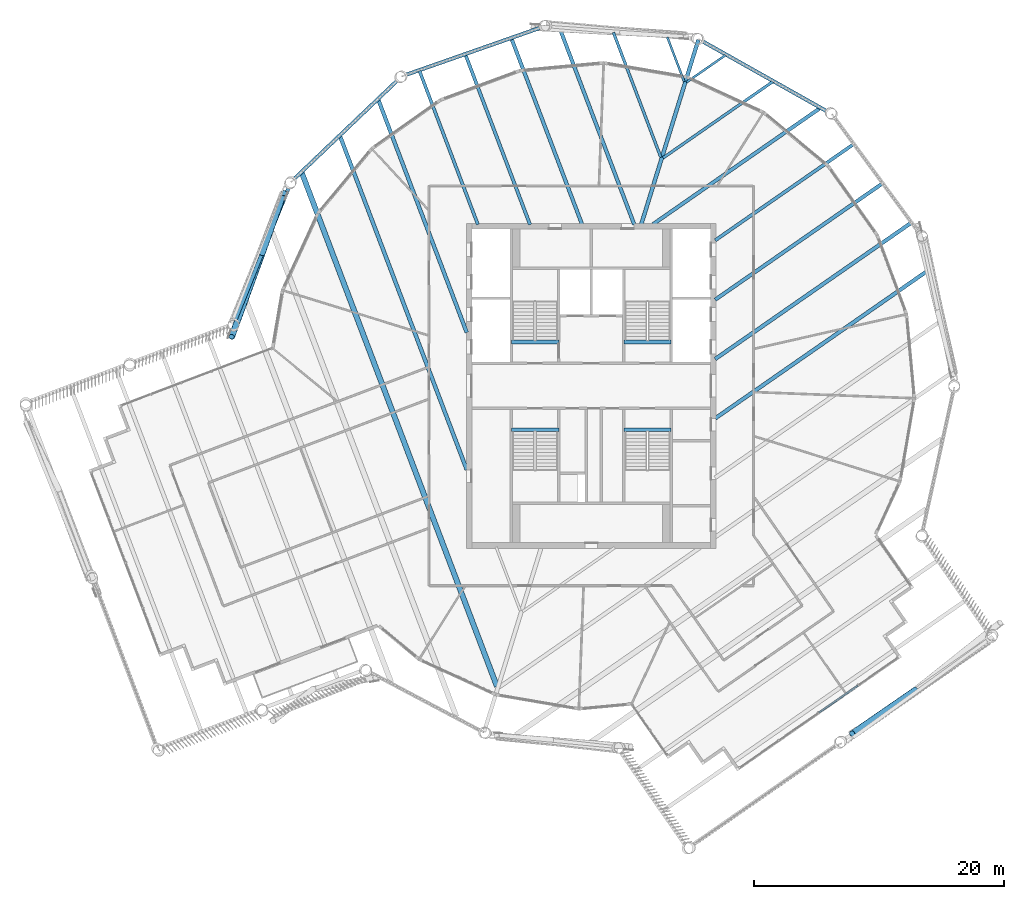
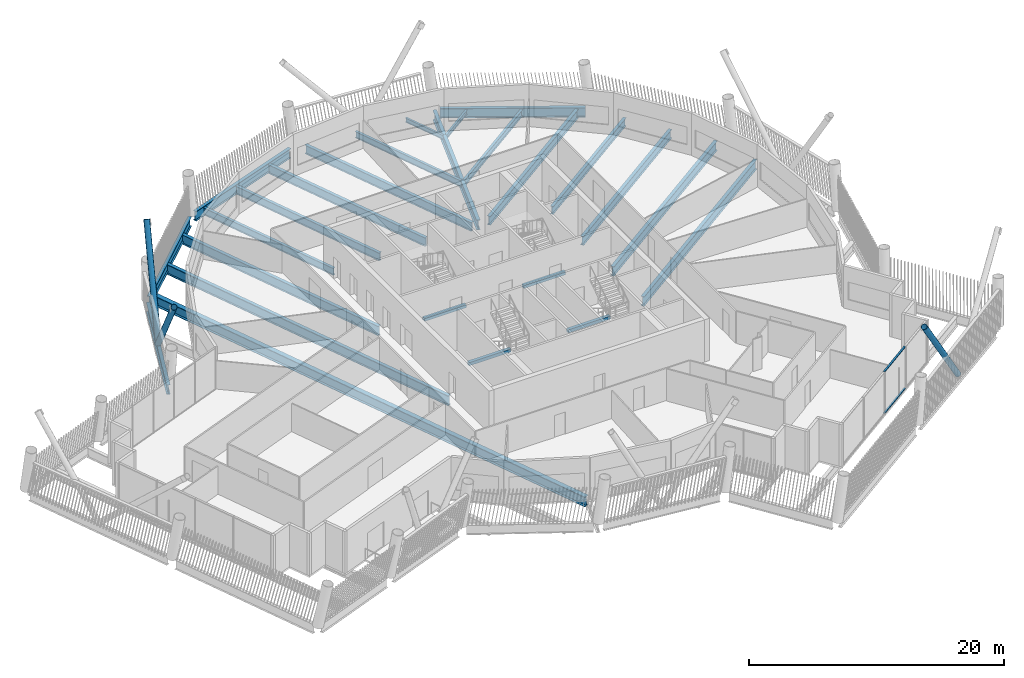
# One storey, part 14 of 33: 25 beams, 5 members, 1 element without a shape of its own.
"""IFC4 building model written with IfcOpenShell, lengths in metres."""

from ifc_helpers import new_model, si_unit, direction, frame, origin, origin_2d, place, context, subcontext, project, spatial, rectangle, hollow_rectangle, hollow_circle, i_section, extrude, material, layer, layer_set, material_profile, profile_set, type_object, element, aggregate, save


model = new_model("IFC4")

# Units and contexts
model_context = context("Model", 3, precision=1e-05, world=origin(), true_north=direction((0.0, 1.0)))
body_context = subcontext(model_context, "Body", "Model", "MODEL_VIEW")
ifc_project = project(units=[si_unit("LENGTHUNIT", "METRE"), si_unit("AREAUNIT", "SQUARE_METRE"), si_unit("VOLUMEUNIT", "CUBIC_METRE"), si_unit("PLANEANGLEUNIT", "RADIAN"), si_unit("MASSUNIT", "GRAM", prefix="KILO")], contexts=[model_context])

# Site, building, storey
site_placement = place(None, origin())
site = spatial("IfcSite", under=ifc_project, at=site_placement, CompositionType="ELEMENT")
building_placement = place(site_placement, origin())
building = spatial("IfcBuilding", under=site, at=building_placement, Name="Tarsis Ring Headquarters", CompositionType="ELEMENT")
storey_placement = place(building_placement, frame((0.0, 0.0, 369.199951171875)))
storey = spatial("IfcBuildingStorey", under=building, at=storey_placement, Name="L87", CompositionType="ELEMENT", Elevation=369.199951171875)

# Curtain wall, members
ifc_material_1 = material(Name="Aluminium curtain wall", Category="aluminium")
ifc_layer = layer(ifc_material_1, 0.199951171875)
ifc_layer_set = layer_set([ifc_layer], Name="Curtain wall executive tip")
curtain_wall_type = type_object("IfcCurtainWallType", Name="Curtain wall executive tip", PredefinedType="NOTDEFINED", material=ifc_layer_set)
curtain_wall_placement = place(storey_placement, origin())
curtain_wall = element("IfcCurtainWall", 1, at=curtain_wall_placement, inside=storey, type_object=curtain_wall_type, Name="Curtain wall L87-11", PredefinedType="NOTDEFINED")
ifc_material_2 = material(Name="Aluminium transom", Category="aluminium")
ifc_material_profile_1 = material_profile(ifc_material_2, hollow_rectangle(XDim=0.159912109375, YDim=0.070068359375, WallThickness=0.0048828125, at=origin_2d()), Name="RHS 160x70x5")
ifc_profile_set_1 = profile_set([ifc_material_profile_1], Name="Aluminium transom")
member_type_1 = type_object("IfcMemberType", Name="Curtain wall transom executive tip RHS 160x70x5", PredefinedType="USERDEFINED", material=ifc_profile_set_1)
member_1_placement = place(storey_placement, frame((18.22021484375, -26.154052734375, 0.03515625), z_axis=(0.821174518693, 0.570677150278, 0.0), x_axis=(-0.570677150278, 0.821174518693, 0.0)))
member_1 = element("IfcMember", 2, at=member_1_placement, type_object=member_type_1, Name="CW-E transom 3.1", ObjectType="TRANSOM", PredefinedType="USERDEFINED", context=body_context, shape_type="SweptSolid", body=[
    extrude(hollow_rectangle(XDim=0.159912109375, YDim=0.070068359375, WallThickness=0.0048828125, at=origin_2d()), origin(), (0.0, 0.0, 1.0), 3.804931640625),
])
member_2_placement = place(storey_placement, frame((18.22021484375, -26.154052734375, 4.005126953125), z_axis=(0.821174518693, 0.570677150278, 0.0), x_axis=(-0.570677150278, 0.821174518693, 0.0)))
member_2 = element("IfcMember", 3, at=member_2_placement, type_object=member_type_1, Name="CW-E transom 3.2", ObjectType="TRANSOM", PredefinedType="USERDEFINED", context=body_context, shape_type="SweptSolid", body=[
    extrude(hollow_rectangle(XDim=0.159912109375, YDim=0.070068359375, WallThickness=0.0048828125, at=origin_2d()), origin(), (0.0, 0.0, 1.0), 3.804931640625),
])
aggregate(curtain_wall, [member_1, member_2])

# Beams
ifc_material_3 = material(Name="Structural steel S355", Category="steel")
ifc_material_profile_2 = material_profile(ifc_material_3, i_section(OverallWidth=0.177734375, OverallDepth=0.406494140625, WebThickness=0.0078125, FlangeThickness=0.0126953125, at=origin_2d()), Name="W16x40")
ifc_profile_set_2 = profile_set([ifc_material_profile_2], Name="Structural steel S355")
beam_type_1 = type_object("IfcBeamType", Name="FB Floor beam W16x40", PredefinedType="JOIST", material=ifc_profile_set_2)
for number, where, z_axis, x_axis, name in (
    (4, (7.617431640625, 24.2919921875, -0.363037109375), (0.821142956507, 0.570722563931, 0.0), (-0.570722563931, 0.821142956507, 0.0), "Floor beam FB1"),
    (5, (6.086669921875, 27.906982421875, -0.363037109375), (0.355118038315, -0.934821468979, 0.0), (0.934821468979, 0.355118038315, 0.0), "Floor beam FB1"),
):
    element("IfcBeam", number, at=place(storey_placement, frame(where, z_axis=z_axis, x_axis=x_axis)), inside=storey, type_object=beam_type_1, Name=name, PredefinedType="JOIST", context=body_context, shape_type="SweptSolid", body=[
        extrude(i_section(OverallWidth=0.177734375, OverallDepth=0.406494140625, WebThickness=0.0078125, FlangeThickness=0.0126953125, at=origin_2d()), origin(), (0.0, 0.0, 1.0), 3.80810546875),
    ])
ifc_material_profile_3 = material_profile(ifc_material_3, i_section(OverallWidth=0.228271484375, OverallDepth=0.607177734375, WebThickness=0.01123046875, FlangeThickness=0.017333984375, at=origin_2d()), Name="W24x76")
ifc_profile_set_3 = profile_set([ifc_material_profile_3], Name="Structural steel S355")
beam_type_2 = type_object("IfcBeamType", Name="FB Floor beam W24x76", PredefinedType="JOIST", material=ifc_profile_set_3)
for number, where, z_axis, x_axis, name in (
    (6, (5.744140625, 18.24072265625, -0.463623046875), (0.821157942952, 0.570701001162, 0.0), (-0.570701001162, 0.821157942952, 0.0), "Floor beam FB4"),
    (7, (1.7705078125, 28.286865234375, -0.463623046875), (0.355103180841, -0.93482711287, 0.0), (0.93482711287, 0.355103180841, 0.0), "Floor beam FB4"),
):
    element("IfcBeam", number, at=place(storey_placement, frame(where, z_axis=z_axis, x_axis=x_axis)), inside=storey, type_object=beam_type_2, Name=name, PredefinedType="JOIST", context=body_context, shape_type="SweptSolid", body=[
        extrude(i_section(OverallWidth=0.228271484375, OverallDepth=0.607177734375, WebThickness=0.01123046875, FlangeThickness=0.017333984375, at=origin_2d()), origin(), (0.0, 0.0, 1.0), 10.6875),
    ])
ifc_material_profile_4 = material_profile(ifc_material_3, i_section(OverallWidth=0.2529296875, OverallDepth=0.67822265625, WebThickness=0.01171875, FlangeThickness=0.016357421875, at=origin_2d()), Name="W27x84")
ifc_profile_set_4 = profile_set([ifc_material_profile_4], Name="Structural steel S355")
beam_type_3 = type_object("IfcBeamType", Name="FB Floor beam W27x84", PredefinedType="JOIST", material=ifc_profile_set_4)
beam_1_placement = place(storey_placement, frame((-13.75, 25.21435546875, -0.4990234375), z_axis=(0.355105305323, -0.934826305862, 0.0), x_axis=(0.934826305862, 0.355105305323, 0.0)))
element("IfcBeam", 8, at=beam_1_placement, inside=storey, type_object=beam_type_3, Name="Floor beam FB5", PredefinedType="JOIST", context=body_context, shape_type="SweptSolid", body=[
    extrude(i_section(OverallWidth=0.2529296875, OverallDepth=0.67822265625, WebThickness=0.01171875, FlangeThickness=0.016357421875, at=origin_2d()), origin(), (0.0, 0.0, 1.0), 13.166015625),
])
ifc_material_profile_5 = material_profile(ifc_material_3, i_section(OverallWidth=0.2666015625, OverallDepth=0.7568359375, WebThickness=0.013916015625, FlangeThickness=0.019287109375, at=origin_2d()), Name="W30x108")
ifc_profile_set_5 = profile_set([ifc_material_profile_5], Name="Structural steel S355")
beam_type_4 = type_object("IfcBeamType", Name="FB Floor beam W30x108", PredefinedType="JOIST", material=ifc_profile_set_5)
beam_2_placement = place(storey_placement, frame((9.91796875, 11.642578125, -0.538330078125), z_axis=(0.821150185078, 0.570712163481, 0.0), x_axis=(-0.570712163481, 0.821150185078, 0.0)))
element("IfcBeam", 9, at=beam_2_placement, inside=storey, type_object=beam_type_4, Name="Floor beam FB6", PredefinedType="JOIST", context=body_context, shape_type="SweptSolid", body=[
    extrude(i_section(OverallWidth=0.2666015625, OverallDepth=0.7568359375, WebThickness=0.013916015625, FlangeThickness=0.019287109375, at=origin_2d()), origin(), (0.0, 0.0, 1.0), 13.462646484375),
])
beam_3_placement = place(storey_placement, frame((-10.068115234375, 26.5048828125, -0.538330078125), z_axis=(0.355091337485, -0.934831611598, 0.0), x_axis=(0.934831611598, 0.355091337485, 0.0)))
element("IfcBeam", 10, at=beam_3_placement, inside=storey, type_object=beam_type_4, Name="Floor beam FB6", PredefinedType="JOIST", context=body_context, shape_type="SweptSolid", body=[
    extrude(i_section(OverallWidth=0.2666015625, OverallDepth=0.7568359375, WebThickness=0.013916015625, FlangeThickness=0.019287109375, at=origin_2d()), origin(), (0.0, 0.0, 1.0), 14.54638671875),
])
ifc_material_profile_6 = material_profile(ifc_material_3, i_section(OverallWidth=0.2919921875, OverallDepth=0.835693359375, WebThickness=0.013916015625, FlangeThickness=0.018798828125, at=origin_2d()), Name="W33x118")
ifc_profile_set_6 = profile_set([ifc_material_profile_6], Name="Structural steel S355")
beam_type_5 = type_object("IfcBeamType", Name="FB Floor beam W33x118", PredefinedType="JOIST", material=ifc_profile_set_6)
beam_4_placement = place(storey_placement, frame((4.955322265625, 12.94287109375, -0.577880859375), z_axis=(0.821146176387, 0.57071793121, 0.0), x_axis=(-0.57071793121, 0.821146176387, 0.0)))
element("IfcBeam", 11, at=beam_4_placement, inside=storey, type_object=beam_type_5, Name="Floor beam FB7", PredefinedType="JOIST", context=body_context, shape_type="SweptSolid", body=[
    extrude(i_section(OverallWidth=0.2919921875, OverallDepth=0.835693359375, WebThickness=0.013916015625, FlangeThickness=0.018798828125, at=origin_2d()), origin(), (0.0, 0.0, 1.0), 16.24658203125),
])
beam_5_placement = place(storey_placement, frame((9.91796875, 6.89306640625, -0.577880859375), z_axis=(0.821148513558, 0.570714568486, 0.0), x_axis=(-0.570714568486, 0.821148513558, 0.0)))
element("IfcBeam", 12, at=beam_5_placement, inside=storey, type_object=beam_type_5, Name="Floor beam FB7", PredefinedType="JOIST", context=body_context, shape_type="SweptSolid", body=[
    extrude(i_section(OverallWidth=0.2919921875, OverallDepth=0.835693359375, WebThickness=0.013916015625, FlangeThickness=0.018798828125, at=origin_2d()), origin(), (0.0, 0.0, 1.0), 16.2744140625),
])
beam_6_placement = place(storey_placement, frame((-2.545654296875, 28.666748046875, -0.577880859375), z_axis=(0.355109945866, -0.934824543081, 0.0), x_axis=(0.934824543081, 0.355109945866, 0.0)))
element("IfcBeam", 13, at=beam_6_placement, inside=storey, type_object=beam_type_5, Name="Floor beam FB7", PredefinedType="JOIST", context=body_context, shape_type="SweptSolid", body=[
    extrude(i_section(OverallWidth=0.2919921875, OverallDepth=0.835693359375, WebThickness=0.013916015625, FlangeThickness=0.018798828125, at=origin_2d()), origin(), (0.0, 0.0, 1.0), 16.859130859375),
])
beam_7_placement = place(storey_placement, frame((-6.386474609375, 27.795166015625, -0.577880859375), z_axis=(0.355111671566, -0.934823887541, 0.0), x_axis=(0.934823887541, 0.355111671566, 0.0)))
element("IfcBeam", 14, at=beam_7_placement, inside=storey, type_object=beam_type_5, Name="Floor beam FB7", PredefinedType="JOIST", context=body_context, shape_type="SweptSolid", body=[
    extrude(i_section(OverallWidth=0.2919921875, OverallDepth=0.835693359375, WebThickness=0.013916015625, FlangeThickness=0.018798828125, at=origin_2d()), origin(), (0.0, 0.0, 1.0), 15.9267578125),
])
ifc_material_profile_7 = material_profile(ifc_material_3, i_section(OverallWidth=0.3046875, OverallDepth=0.904296875, WebThickness=0.01513671875, FlangeThickness=0.02001953125, at=origin_2d()), Name="W36x135")
ifc_profile_set_7 = profile_set([ifc_material_profile_7], Name="Structural steel S355")
beam_type_6 = type_object("IfcBeamType", Name="FB Floor beam W36x135", PredefinedType="JOIST", material=ifc_profile_set_7)
beam_8_placement = place(storey_placement, frame((9.91796875, 2.1435546875, -0.612060546875), z_axis=(0.821141339907, 0.570724889851, 0.0), x_axis=(-0.570724889851, 0.821141339907, 0.0)))
element("IfcBeam", 15, at=beam_8_placement, inside=storey, type_object=beam_type_6, Name="Floor beam FB8", PredefinedType="JOIST", context=body_context, shape_type="SweptSolid", body=[
    extrude(i_section(OverallWidth=0.3046875, OverallDepth=0.904296875, WebThickness=0.01513671875, FlangeThickness=0.02001953125, at=origin_2d()), origin(), (0.0, 0.0, 1.0), 19.08642578125),
])
beam_9_placement = place(storey_placement, frame((9.91796875, -2.605712890625, -0.612060546875), z_axis=(0.821152437002, 0.570708923362, 0.0), x_axis=(-0.570708923362, 0.821152437002, 0.0)))
element("IfcBeam", 16, at=beam_9_placement, inside=storey, type_object=beam_type_6, Name="Floor beam FB8", PredefinedType="JOIST", context=body_context, shape_type="SweptSolid", body=[
    extrude(i_section(OverallWidth=0.3046875, OverallDepth=0.904296875, WebThickness=0.01513671875, FlangeThickness=0.02001953125, at=origin_2d()), origin(), (0.0, 0.0, 1.0), 20.804931640625),
])
beam_10_placement = place(storey_placement, frame((-17.04345703125, 22.90234375, -0.612060546875), z_axis=(0.355098328157, -0.934828956195, 0.0), x_axis=(0.934828956195, 0.355098328157, 0.0)))
element("IfcBeam", 17, at=beam_10_placement, inside=storey, type_object=beam_type_6, Name="Floor beam FB8", PredefinedType="JOIST", context=body_context, shape_type="SweptSolid", body=[
    extrude(i_section(OverallWidth=0.3046875, OverallDepth=0.904296875, WebThickness=0.01513671875, FlangeThickness=0.02001953125, at=origin_2d()), origin(), (0.0, 0.0, 1.0), 19.934814453125),
])
ifc_material_profile_8 = material_profile(ifc_material_3, i_section(OverallWidth=0.309814453125, OverallDepth=0.949951171875, WebThickness=0.0244140625, FlangeThickness=0.0439453125, at=origin_2d()), Name="W36x256")
ifc_profile_set_8 = profile_set([ifc_material_profile_8], Name="Structural steel S355")
beam_type_7 = type_object("IfcBeamType", Name="FB Floor beam W36x256", PredefinedType="JOIST", material=ifc_profile_set_8)
beam_11_placement = place(storey_placement, frame((-20.105712890625, 19.98046875, -0.635009765625), z_axis=(0.355108542502, -0.934825076173, 0.0), x_axis=(0.934825076173, 0.355108542502, 0.0)))
element("IfcBeam", 18, at=beam_11_placement, inside=storey, type_object=beam_type_7, Name="Floor beam FB11", PredefinedType="JOIST", context=body_context, shape_type="SweptSolid", body=[
    extrude(i_section(OverallWidth=0.309814453125, OverallDepth=0.949951171875, WebThickness=0.0244140625, FlangeThickness=0.0439453125, at=origin_2d()), origin(), (0.0, 0.0, 1.0), 28.557861328125),
])
beam_type_8 = type_object("IfcBeamType", Name="FB Floor beam W36x256 spine", PredefinedType="BEAM", material=ifc_profile_set_8)
beam_12_placement = place(storey_placement, frame((8.5732421875, 27.696044921875, -0.635009765625), z_axis=(-0.29570085758, -0.955280588532, 0.0), x_axis=(0.955280588532, -0.29570085758, 0.0)))
element("IfcBeam", 19, at=beam_12_placement, inside=storey, type_object=beam_type_8, Name="Floor beam SB11", PredefinedType="BEAM", context=body_context, shape_type="SweptSolid", body=[
    extrude(i_section(OverallWidth=0.309814453125, OverallDepth=0.949951171875, WebThickness=0.0244140625, FlangeThickness=0.0439453125, at=origin_2d()), origin(), (0.0, 0.0, 1.0), 15.48388671875),
])
ifc_material_profile_9 = material_profile(ifc_material_3, i_section(OverallWidth=0.42431640625, OverallDepth=0.947509765625, WebThickness=0.02392578125, FlangeThickness=0.042724609375, at=origin_2d()), Name="W36x302")
ifc_profile_set_9 = profile_set([ifc_material_profile_9], Name="Structural steel S355")
beam_type_9 = type_object("IfcBeamType", Name="FB Floor beam W36x302", PredefinedType="JOIST", material=ifc_profile_set_9)
beam_13_placement = place(storey_placement, frame((-23.167724609375, 17.058837890625, -0.633544921875), z_axis=(0.355108931578, -0.934824928376, 0.0), x_axis=(0.934824928376, 0.355108931578, 0.0)))
element("IfcBeam", 20, at=beam_13_placement, inside=storey, type_object=beam_type_9, Name="Floor beam FB12", PredefinedType="JOIST", context=body_context, shape_type="SweptSolid", body=[
    extrude(i_section(OverallWidth=0.42431640625, OverallDepth=0.947509765625, WebThickness=0.02392578125, FlangeThickness=0.042724609375, at=origin_2d()), origin(), (0.0, 0.0, 1.0), 43.989501953125),
])
ifc_material_4 = material(Name="Concrete C40/50", Category="concrete")
ifc_material_profile_10 = material_profile(ifc_material_4, rectangle(XDim=0.300048828125, YDim=0.300048828125, at=origin_2d()), Name="Stair head beam 300x300 C40/50")
ifc_profile_set_10 = profile_set([ifc_material_profile_10], Name="Concrete C40/50")
beam_type_10 = type_object("IfcBeamType", Name="Stair head beam 300x300 C40/50", PredefinedType="BEAM", material=ifc_profile_set_10)
for number, where, z_axis, x_axis, name in (
    (21, (-6.39990234375, 3.510009765625, -0.31005859375), (1.0, 0.0, 0.0), (0.0, 1.0, 0.0), "Stair head beam L87 Firefighting stair"),
    (22, (2.60009765625, 3.510009765625, -0.31005859375), (1.0, 0.0, 0.0), (0.0, 1.0, 0.0), "Stair head beam L87 Exit stair B"),
    (23, (-6.39990234375, -3.510009765625, -0.31005859375), (1.0, 0.0, 0.0), (0.0, 1.0, 0.0), "Stair head beam L87 Exit stair C"),
    (24, (2.60009765625, -3.510009765625, -0.31005859375), (1.0, 0.0, 0.0), (0.0, 1.0, 0.0), "Stair head beam L87 Exit stair D"),
):
    element("IfcBeam", number, at=place(storey_placement, frame(where, z_axis=z_axis, x_axis=x_axis)), inside=storey, type_object=beam_type_10, Name=name, PredefinedType="BEAM", context=body_context, shape_type="SweptSolid", body=[
        extrude(rectangle(XDim=0.300048828125, YDim=0.300048828125, at=origin_2d()), origin(), (0.0, 0.0, 1.0), 3.7998046875),
    ])

# Members
ifc_material_profile_11 = material_profile(ifc_material_3, hollow_circle(Radius=0.25390625, WallThickness=0.02001953125, at=origin_2d()), Name="CHS 508x20")
ifc_profile_set_11 = profile_set([ifc_material_profile_11], Name="Structural steel S355")
member_type_2 = type_object("IfcMemberType", Name="XD X brace CHS 508x20", PredefinedType="BRACE", material=ifc_profile_set_11)
member_3_placement = place(storey_placement, frame((25.937255859375, -24.352783203125, 0.0), z_axis=(-0.485650539404, -0.334867475923, 0.807469706643), x_axis=(0.567659511004, -0.823263432667, 0.0)))
element("IfcMember", 25, at=member_3_placement, inside=storey, type_object=member_type_2, Name="X brace XD2", PredefinedType="BRACE", context=body_context, shape_type="SweptSolid", body=[
    extrude(hollow_circle(Radius=0.25390625, WallThickness=0.02001953125, at=origin_2d()), origin(), (0.0, 0.0, 1.0), 10.403076171875),
])
member_4_placement = place(storey_placement, frame((-26.32763671875, 10.6376953125, 0.0), z_axis=(-0.222538422851, -0.609049032195, 0.761272570593), x_axis=(0.939264289228, -0.343194689616, 0.0)))
element("IfcMember", 26, at=member_4_placement, inside=storey, type_object=member_type_2, Name="X brace XD2", PredefinedType="BRACE", context=body_context, shape_type="SweptSolid", body=[
    extrude(hollow_circle(Radius=0.25390625, WallThickness=0.02001953125, at=origin_2d()), origin(), (0.0, 0.0, 1.0), 11.034423828125),
])
member_5_placement = place(storey_placement, frame((-26.32763671875, 10.6376953125, 0.0), z_axis=(0.174880520183, 0.488134599607, 0.855068077013), x_axis=(-0.941407467361, 0.337271375004, 0.0)))
element("IfcMember", 27, at=member_5_placement, inside=storey, type_object=member_type_2, Name="X brace XD2", PredefinedType="BRACE", context=body_context, shape_type="SweptSolid", body=[
    extrude(hollow_circle(Radius=0.25390625, WallThickness=0.02001953125, at=origin_2d()), origin(), (0.0, 0.0, 1.0), 9.823974609375),
])

# Beams
ifc_material_profile_12 = material_profile(ifc_material_3, i_section(OverallWidth=0.3046875, OverallDepth=0.91943359375, WebThickness=0.017333984375, FlangeThickness=0.02783203125, at=origin_2d()), Name="W36x170")
ifc_profile_set_12 = profile_set([ifc_material_profile_12], Name="Structural steel S355")
beam_type_11 = type_object("IfcBeamType", Name="XG Ring girder W36x170", PredefinedType="BEAM", material=ifc_profile_set_12)
beam_14_placement = place(storey_placement, frame((18.90576171875, 21.943603515625, -0.459716796875), z_axis=(-0.871461956812, 0.490463105472, 0.0), x_axis=(-0.490463105472, -0.871461956812, 0.0)))
element("IfcBeam", 28, at=beam_14_placement, inside=storey, type_object=beam_type_11, Name="Ring girder XG4", PredefinedType="BEAM", context=body_context, shape_type="SweptSolid", body=[
    extrude(i_section(OverallWidth=0.3046875, OverallDepth=0.91943359375, WebThickness=0.017333984375, FlangeThickness=0.02783203125, at=origin_2d()), origin(), (0.0, 0.0, 1.0), 11.426025390625),
])
for number, where, z_axis, x_axis, name in (
    (29, (-4.000244140625, 28.68701171875, -0.459716796875), (-0.943719026552, -0.330748241, 0.0), (0.330748241, -0.943719026552, 0.0), "Ring girder XG4"),
    (30, (-15.468994140625, 24.48779296875, -0.459716796875), (-0.723503968113, -0.690320221437, 0.0), (0.690320221437, -0.723503968113, 0.0), "Ring girder XG4"),
    (31, (-24.1875, 15.9345703125, -0.459716796875), (-0.374615667855, -0.927180188204, 0.0), (0.927180188204, -0.374615667855, 0.0), "Ring girder XG4"),
):
    element("IfcBeam", number, at=place(storey_placement, frame(where, z_axis=z_axis, x_axis=x_axis)), inside=storey, type_object=beam_type_11, Name=name, PredefinedType="BEAM", context=body_context, shape_type="SweptSolid", body=[
        extrude(i_section(OverallWidth=0.3046875, OverallDepth=0.91943359375, WebThickness=0.017333984375, FlangeThickness=0.02783203125, at=origin_2d()), origin(), (0.0, 0.0, 1.0), 11.42578125),
    ])

save(model, "model.ifc")
